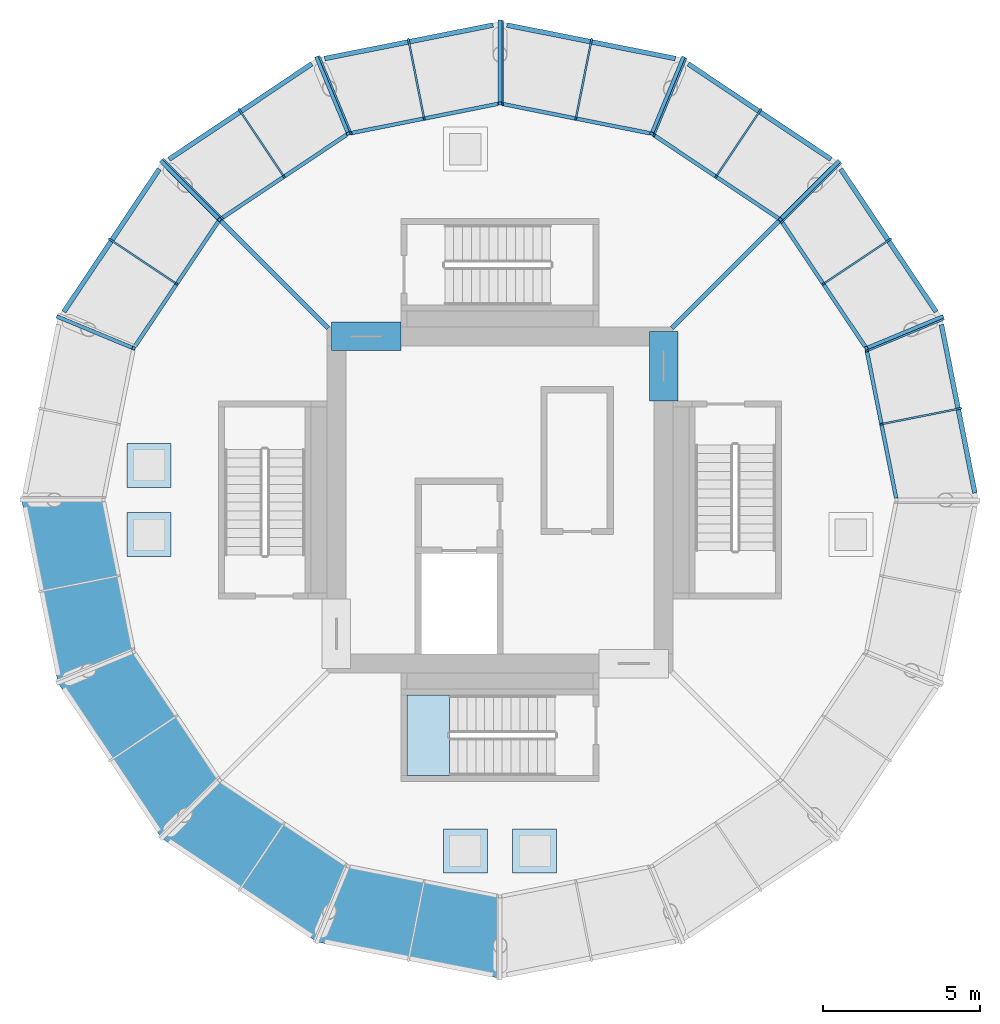
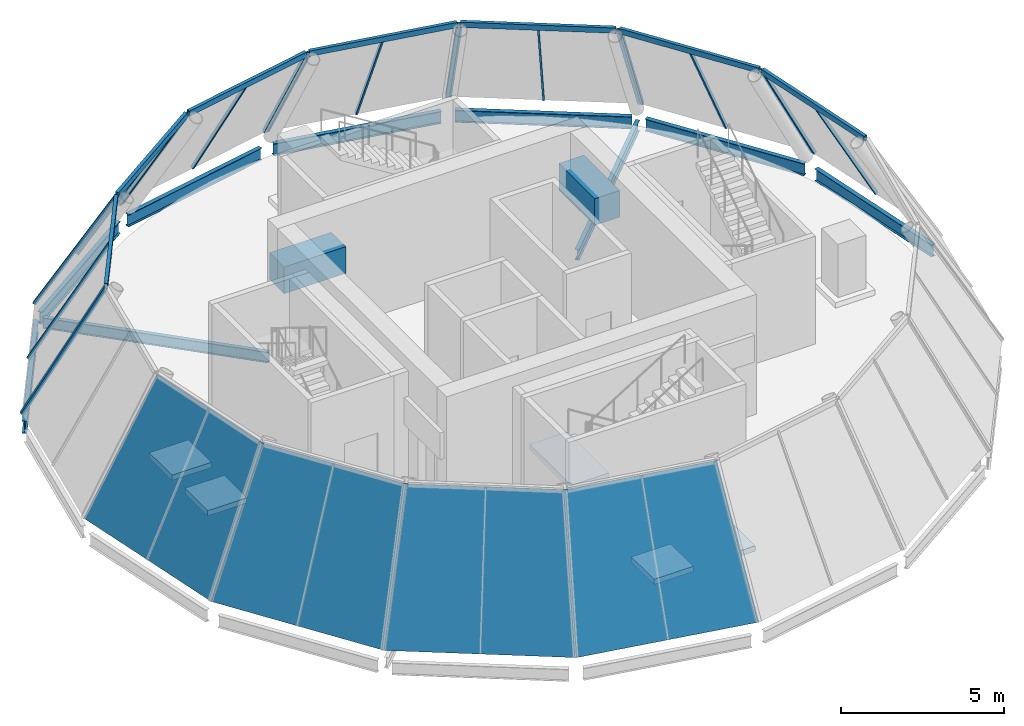
# One storey, part 2 of 6: 27 members, 11 beams, 5 slabs, 4 plates, 13 elements without a shape of their own.
"""IFC4 building model written with IfcOpenShell, lengths in metres."""

from ifc_helpers import new_model, si_unit, direction, frame, origin, origin_2d, place, context, subcontext, project, spatial, polyline, rectangle, hollow_rectangle, i_section, outline, extrude, material, layer, layer_set, material_profile, profile_set, type_object, element, aggregate, save


model = new_model("IFC4")

# Units and contexts
model_context = context("Model", 3, precision=1e-05, world=origin(), true_north=direction((0.0, 1.0)))
body_context = subcontext(model_context, "Body", "Model", "MODEL_VIEW")
ifc_project = project(units=[si_unit("LENGTHUNIT", "METRE"), si_unit("AREAUNIT", "SQUARE_METRE"), si_unit("VOLUMEUNIT", "CUBIC_METRE"), si_unit("PLANEANGLEUNIT", "RADIAN"), si_unit("MASSUNIT", "GRAM", prefix="KILO")], contexts=[model_context])

# Site, building, storey
site_placement = place(None, origin())
site = spatial("IfcSite", under=ifc_project, at=site_placement, CompositionType="ELEMENT")
building_placement = place(site_placement, origin())
building = spatial("IfcBuilding", under=site, at=building_placement, Name="Corvane Civic Tower", CompositionType="ELEMENT")
storey_placement = place(building_placement, frame((0.0, 0.0, 397.5)))
storey = spatial("IfcBuildingStorey", under=building, at=storey_placement, Name="L94", CompositionType="ELEMENT", Elevation=397.5)

# Beams
ifc_material_1 = material(Name="Concrete C40/50", Category="concrete")
ifc_material_profile_1 = material_profile(ifc_material_1, rectangle(XDim=0.89990234375, YDim=1.0, at=origin_2d()), Name="COUPLING BEAM 900X1000")
ifc_profile_set_1 = profile_set([ifc_material_profile_1], Name="Concrete C40/50")
beam_type_1 = type_object("IfcBeamType", Name="COUPLING BEAM COUPLING BEAM 900X1000", PredefinedType="BEAM", material=ifc_profile_set_1)
for number, where, z_axis, x_axis, name in (
    (1, (5.199951171875, 3.14990234375, 2.60009765625), (0.0, 1.0, 0.0), (-1.0, 0.0, 0.0), "BM-L94-cpl-CW-E"),
    (2, (-5.35009765625, 5.199951171875, 2.60009765625), (1.0, 0.0, 0.0), (0.0, 1.0, 0.0), "BM-L94-cpl-CW-N"),
):
    element("IfcBeam", number, at=place(storey_placement, frame(where, z_axis=z_axis, x_axis=x_axis)), inside=storey, type_object=beam_type_1, Name=name, PredefinedType="BEAM", context=body_context, shape_type="SweptSolid", body=[
        extrude(rectangle(XDim=0.89990234375, YDim=1.0, at=origin_2d()), origin(), (0.0, 0.0, 1.0), 2.2001953125),
    ])

# Curtain wall, members
ifc_material_2 = material(Name="Aluminium and glass", Category="aluminium")
curtain_wall_type = type_object("IfcCurtainWallType", Name="CROWN-CW-K-FACET", PredefinedType="NOTDEFINED", material=ifc_material_2)
curtain_wall_1_placement = place(storey_placement, origin())
curtain_wall_1 = element("IfcCurtainWall", 3, at=curtain_wall_1_placement, inside=storey, type_object=curtain_wall_type, Name="Glass cone facet 1 row 3", PredefinedType="NOTDEFINED")
ifc_material_3 = material(Name="Steel ASTM A500 Gr C", Category="steel")
ifc_material_profile_2 = material_profile(ifc_material_3, hollow_rectangle(XDim=0.06005859375, YDim=0.1201171875, WallThickness=0.0048828125, at=origin_2d()), Name="RHS 120x60x5")
ifc_profile_set_2 = profile_set([ifc_material_profile_2], Name="Steel ASTM A500 Gr C")
member_type_1 = type_object("IfcMemberType", Name="CROWN-CWK-MULLION-RHS120x60x5", PredefinedType="MULLION", material=ifc_profile_set_2)
member_1_placement = place(storey_placement, frame((-2.908447265625, 14.62158203125, 0.0), z_axis=(0.096197207431, -0.483534932742, 0.87002302619), x_axis=(0.980779020002, 0.195121792539, 0.0)))
member_1 = element("IfcMember", 4, at=member_1_placement, type_object=member_type_1, Name="Cone mullion 1.3M", PredefinedType="MULLION", context=body_context, shape_type="SweptSolid", body=[
    extrude(hollow_rectangle(XDim=0.06005859375, YDim=0.1201171875, WallThickness=0.0048828125, at=origin_2d()), origin(), (0.0, 0.0, 1.0), 5.17236328125),
])
member_2_placement = place(storey_placement, frame((-5.728515625, 14.060546875, 0.0), z_axis=(0.191473729203, -0.462195785482, 0.865859611547), x_axis=(0.923861180978, 0.382727733882, 0.0)))
member_2 = element("IfcMember", 5, at=member_2_placement, type_object=member_type_1, Name="Cone mullion 1.3J", PredefinedType="MULLION", context=body_context, shape_type="SweptSolid", body=[
    extrude(hollow_rectangle(XDim=0.06005859375, YDim=0.1201171875, WallThickness=0.0048828125, at=origin_2d()), origin(), (0.0, 0.0, 1.0), 5.197265625),
])

curtain_wall_2_placement = place(storey_placement, origin())
curtain_wall_2 = element("IfcCurtainWall", 6, at=curtain_wall_2_placement, inside=storey, type_object=curtain_wall_type, Name="Glass cone facet 2 row 3", PredefinedType="NOTDEFINED")
member_3_placement = place(storey_placement, frame((-8.282470703125, 12.3955078125, 0.0), z_axis=(0.273952157888, -0.409937024683, 0.870001063783), x_axis=(0.83143120189, 0.555627713963, 0.0)))
member_3 = element("IfcMember", 7, at=member_3_placement, type_object=member_type_1, Name="Cone mullion 2.3M", PredefinedType="MULLION", context=body_context, shape_type="SweptSolid", body=[
    extrude(hollow_rectangle(XDim=0.06005859375, YDim=0.1201171875, WallThickness=0.0048828125, at=origin_2d()), origin(), (0.0, 0.0, 1.0), 5.17236328125),
])
member_4_placement = place(storey_placement, frame((-10.673095703125, 10.798095703125, 0.0), z_axis=(0.353729561461, -0.353776537499, 0.865862320963), x_axis=(0.707153729152, 0.707059830104, 0.0)))
member_4 = element("IfcMember", 8, at=member_4_placement, type_object=member_type_1, Name="Cone mullion 2.3J", PredefinedType="MULLION", context=body_context, shape_type="SweptSolid", body=[
    extrude(hollow_rectangle(XDim=0.06005859375, YDim=0.1201171875, WallThickness=0.0048828125, at=origin_2d()), origin(), (0.0, 0.0, 1.0), 5.197021484375),
])

# Curtain wall, member
curtain_wall_3_placement = place(storey_placement, origin())
curtain_wall_3 = element("IfcCurtainWall", 9, at=curtain_wall_3_placement, inside=storey, type_object=curtain_wall_type, Name="Glass cone facet 3 row 3", PredefinedType="NOTDEFINED")
member_5_placement = place(storey_placement, frame((-12.3955078125, 8.282470703125, 0.0), z_axis=(0.409937024683, -0.273952157888, 0.870001063783), x_axis=(0.555627713963, 0.83143120189, 0.0)))
member_5 = element("IfcMember", 10, at=member_5_placement, type_object=member_type_1, Name="Cone mullion 3.3M", PredefinedType="MULLION", context=body_context, shape_type="SweptSolid", body=[
    extrude(hollow_rectangle(XDim=0.06005859375, YDim=0.1201171875, WallThickness=0.0048828125, at=origin_2d()), origin(), (0.0, 0.0, 1.0), 5.17236328125),
])

# Curtain wall, members
curtain_wall_4_placement = place(storey_placement, origin())
curtain_wall_4 = element("IfcCurtainWall", 11, at=curtain_wall_4_placement, inside=storey, type_object=curtain_wall_type, Name="Glass cone facet 13 row 3", PredefinedType="NOTDEFINED")
member_6_placement = place(storey_placement, frame((14.62158203125, 2.908447265625, 0.0), z_axis=(-0.483534932742, -0.096197207431, 0.87002302619), x_axis=(0.195121792539, -0.980779020002, 0.0)))
member_6 = element("IfcMember", 12, at=member_6_placement, type_object=member_type_1, Name="Cone mullion 13.3M", PredefinedType="MULLION", context=body_context, shape_type="SweptSolid", body=[
    extrude(hollow_rectangle(XDim=0.06005859375, YDim=0.1201171875, WallThickness=0.0048828125, at=origin_2d()), origin(), (0.0, 0.0, 1.0), 5.17236328125),
])
member_7_placement = place(storey_placement, frame((14.060546875, 5.728515625, 0.0), z_axis=(-0.462195785482, -0.191473729203, 0.865859611547), x_axis=(0.382727733882, -0.923861180978, 0.0)))
member_7 = element("IfcMember", 13, at=member_7_placement, type_object=member_type_1, Name="Cone mullion 13.3J", PredefinedType="MULLION", context=body_context, shape_type="SweptSolid", body=[
    extrude(hollow_rectangle(XDim=0.06005859375, YDim=0.1201171875, WallThickness=0.0048828125, at=origin_2d()), origin(), (0.0, 0.0, 1.0), 5.197265625),
])

curtain_wall_5_placement = place(storey_placement, origin())
curtain_wall_5 = element("IfcCurtainWall", 14, at=curtain_wall_5_placement, inside=storey, type_object=curtain_wall_type, Name="Glass cone facet 14 row 3", PredefinedType="NOTDEFINED")
member_8_placement = place(storey_placement, frame((12.3955078125, 8.282470703125, 0.0), z_axis=(-0.409937024683, -0.273952157888, 0.870001063783), x_axis=(0.555627713963, -0.83143120189, 0.0)))
member_8 = element("IfcMember", 15, at=member_8_placement, type_object=member_type_1, Name="Cone mullion 14.3M", PredefinedType="MULLION", context=body_context, shape_type="SweptSolid", body=[
    extrude(hollow_rectangle(XDim=0.06005859375, YDim=0.1201171875, WallThickness=0.0048828125, at=origin_2d()), origin(), (0.0, 0.0, 1.0), 5.17236328125),
])
member_9_placement = place(storey_placement, frame((10.798095703125, 10.673095703125, 0.0), z_axis=(-0.353776537499, -0.353729561461, 0.865862320963), x_axis=(0.707059830104, -0.707153729152, 0.0)))
member_9 = element("IfcMember", 16, at=member_9_placement, type_object=member_type_1, Name="Cone mullion 14.3J", PredefinedType="MULLION", context=body_context, shape_type="SweptSolid", body=[
    extrude(hollow_rectangle(XDim=0.06005859375, YDim=0.1201171875, WallThickness=0.0048828125, at=origin_2d()), origin(), (0.0, 0.0, 1.0), 5.197021484375),
])

curtain_wall_6_placement = place(storey_placement, origin())
curtain_wall_6 = element("IfcCurtainWall", 17, at=curtain_wall_6_placement, inside=storey, type_object=curtain_wall_type, Name="Glass cone facet 15 row 3", PredefinedType="NOTDEFINED")
member_10_placement = place(storey_placement, frame((8.282470703125, 12.3955078125, 0.0), z_axis=(-0.273952157888, -0.409937024683, 0.870001063783), x_axis=(0.83143120189, -0.555627713963, 0.0)))
member_10 = element("IfcMember", 18, at=member_10_placement, type_object=member_type_1, Name="Cone mullion 15.3M", PredefinedType="MULLION", context=body_context, shape_type="SweptSolid", body=[
    extrude(hollow_rectangle(XDim=0.06005859375, YDim=0.1201171875, WallThickness=0.0048828125, at=origin_2d()), origin(), (0.0, 0.0, 1.0), 5.17236328125),
])
member_11_placement = place(storey_placement, frame((5.8916015625, 13.992919921875, 0.0), z_axis=(-0.191473729203, -0.462195785482, 0.865859611547), x_axis=(0.923861180978, -0.382727733882, 0.0)))
member_11 = element("IfcMember", 19, at=member_11_placement, type_object=member_type_1, Name="Cone mullion 15.3J", PredefinedType="MULLION", context=body_context, shape_type="SweptSolid", body=[
    extrude(hollow_rectangle(XDim=0.06005859375, YDim=0.1201171875, WallThickness=0.0048828125, at=origin_2d()), origin(), (0.0, 0.0, 1.0), 5.197265625),
])

curtain_wall_7_placement = place(storey_placement, origin())
curtain_wall_7 = element("IfcCurtainWall", 20, at=curtain_wall_7_placement, inside=storey, type_object=curtain_wall_type, Name="Glass cone facet 16 row 3", PredefinedType="NOTDEFINED")
member_12_placement = place(storey_placement, frame((2.908447265625, 14.62158203125, 0.0), z_axis=(-0.096197207431, -0.483534932742, 0.87002302619), x_axis=(0.980779020002, -0.195121792539, 0.0)))
member_12 = element("IfcMember", 21, at=member_12_placement, type_object=member_type_1, Name="Cone mullion 16.3M", PredefinedType="MULLION", context=body_context, shape_type="SweptSolid", body=[
    extrude(hollow_rectangle(XDim=0.06005859375, YDim=0.1201171875, WallThickness=0.0048828125, at=origin_2d()), origin(), (0.0, 0.0, 1.0), 5.17236328125),
])
member_13_placement = place(storey_placement, frame((0.08837890625, 15.182373046875, 0.0), z_axis=(0.0, -0.50025646597, 0.865877282445), x_axis=(1.0, 0.0, 0.0)))
member_13 = element("IfcMember", 22, at=member_13_placement, type_object=member_type_1, Name="Cone mullion 16.3J", PredefinedType="MULLION", context=body_context, shape_type="SweptSolid", body=[
    extrude(hollow_rectangle(XDim=0.06005859375, YDim=0.1201171875, WallThickness=0.0048828125, at=origin_2d()), origin(), (0.0, 0.0, 1.0), 5.197021484375),
])

# Member
ifc_material_4 = material(Name="Steel ASTM A500 Gr C", Category="steel")
ifc_material_profile_3 = material_profile(ifc_material_4, hollow_rectangle(XDim=0.1201171875, YDim=0.1201171875, WallThickness=0.006103515625, at=origin_2d()), Name="RHS 120x120x6")
ifc_profile_set_3 = profile_set([ifc_material_profile_3], Name="Steel ASTM A500 Gr C")
member_type_2 = type_object("IfcMemberType", Name="CROWN-CWK-RIB-RHS120x120x6", PredefinedType="MULLION", material=ifc_profile_set_3)
member_14_placement = place(storey_placement, frame((0.0, 15.199951171875, 0.0), z_axis=(0.0, -0.50025646597, 0.865877282445), x_axis=(1.0, 0.0, 0.0)))
member_14 = element("IfcMember", 23, at=member_14_placement, type_object=member_type_2, Name="Cone rib 1.3", PredefinedType="MULLION", context=body_context, shape_type="SweptSolid", body=[
    extrude(hollow_rectangle(XDim=0.1201171875, YDim=0.1201171875, WallThickness=0.006103515625, at=origin_2d()), origin(), (0.0, 0.0, 1.0), 5.197021484375),
])

member_15_placement = place(storey_placement, frame((-5.81689453125, 14.04296875, 0.0), z_axis=(0.191473729203, -0.462195785482, 0.865859611547), x_axis=(0.923861180978, 0.382727733882, 0.0)))
member_15 = element("IfcMember", 24, at=member_15_placement, type_object=member_type_2, Name="Cone rib 2.3", PredefinedType="MULLION", context=body_context, shape_type="SweptSolid", body=[
    extrude(hollow_rectangle(XDim=0.1201171875, YDim=0.1201171875, WallThickness=0.006103515625, at=origin_2d()), origin(), (0.0, 0.0, 1.0), 5.197265625),
])

member_16_placement = place(storey_placement, frame((-10.748046875, 10.748046875, 0.0), z_axis=(0.353770658616, -0.353770658616, 0.865847932494), x_axis=(0.707106781187, 0.707106781187, 0.0)))
member_16 = element("IfcMember", 25, at=member_16_placement, type_object=member_type_2, Name="Cone rib 3.3", PredefinedType="MULLION", context=body_context, shape_type="SweptSolid", body=[
    extrude(hollow_rectangle(XDim=0.1201171875, YDim=0.1201171875, WallThickness=0.006103515625, at=origin_2d()), origin(), (0.0, 0.0, 1.0), 5.197265625),
])

# Curtain wall, member
curtain_wall_8_placement = place(storey_placement, origin())
curtain_wall_8 = element("IfcCurtainWall", 26, at=curtain_wall_8_placement, inside=storey, type_object=curtain_wall_type, Name="Glass cone facet 4 row 3", PredefinedType="NOTDEFINED")
member_17_placement = place(storey_placement, frame((-14.04296875, 5.81689453125, 0.0), z_axis=(0.462195785482, -0.191473729203, 0.865859611547), x_axis=(0.382727733882, 0.923861180978, 0.0)))
member_17 = element("IfcMember", 27, at=member_17_placement, type_object=member_type_2, Name="Cone rib 4.3", PredefinedType="MULLION", context=body_context, shape_type="SweptSolid", body=[
    extrude(hollow_rectangle(XDim=0.1201171875, YDim=0.1201171875, WallThickness=0.006103515625, at=origin_2d()), origin(), (0.0, 0.0, 1.0), 5.197265625),
])
aggregate(curtain_wall_8, [member_17])

# Member
member_18_placement = place(storey_placement, frame((14.04296875, 5.81689453125, 0.0), z_axis=(-0.462195785482, -0.191473729203, 0.865859611547), x_axis=(0.382727733882, -0.923861180978, 0.0)))
member_18 = element("IfcMember", 28, at=member_18_placement, type_object=member_type_2, Name="Cone rib 14.3", PredefinedType="MULLION", context=body_context, shape_type="SweptSolid", body=[
    extrude(hollow_rectangle(XDim=0.1201171875, YDim=0.1201171875, WallThickness=0.006103515625, at=origin_2d()), origin(), (0.0, 0.0, 1.0), 5.197265625),
])

member_19_placement = place(storey_placement, frame((10.748046875, 10.748046875, 0.0), z_axis=(-0.353770658616, -0.353770658616, 0.865847932494), x_axis=(0.707106781187, -0.707106781187, 0.0)))
member_19 = element("IfcMember", 29, at=member_19_placement, type_object=member_type_2, Name="Cone rib 15.3", PredefinedType="MULLION", context=body_context, shape_type="SweptSolid", body=[
    extrude(hollow_rectangle(XDim=0.1201171875, YDim=0.1201171875, WallThickness=0.006103515625, at=origin_2d()), origin(), (0.0, 0.0, 1.0), 5.197265625),
])

member_20_placement = place(storey_placement, frame((5.81689453125, 14.04296875, 0.0), z_axis=(-0.191473729203, -0.462195785482, 0.865859611547), x_axis=(0.923861180978, -0.382727733882, 0.0)))
member_20 = element("IfcMember", 30, at=member_20_placement, type_object=member_type_2, Name="Cone rib 16.3", PredefinedType="MULLION", context=body_context, shape_type="SweptSolid", body=[
    extrude(hollow_rectangle(XDim=0.1201171875, YDim=0.1201171875, WallThickness=0.006103515625, at=origin_2d()), origin(), (0.0, 0.0, 1.0), 5.197265625),
])

ifc_material_5 = material(Name="Steel ASTM A500 Gr C", Category="steel")
ifc_material_profile_4 = material_profile(ifc_material_5, hollow_rectangle(XDim=0.1201171875, YDim=0.199951171875, WallThickness=0.006103515625, at=origin_2d()), Name="RHS 200x120x6")
ifc_profile_set_4 = profile_set([ifc_material_profile_4], Name="Steel ASTM A500 Gr C")
member_type_3 = type_object("IfcMemberType", Name="CROWN-CWK-RING-RHS200x120x6", PredefinedType="USERDEFINED", material=ifc_profile_set_4)
member_21_placement = place(storey_placement, frame((-0.058837890625, 12.58837890625, 4.5), z_axis=(-0.980781807994, -0.195107778184, 0.0), x_axis=(0.195107778184, -0.980781807994, 0.0)))
member_21 = element("IfcMember", 31, at=member_21_placement, type_object=member_type_3, Name="Cone ring member 1.3", ObjectType="TRANSOM", PredefinedType="USERDEFINED", context=body_context, shape_type="SweptSolid", body=[
    extrude(hollow_rectangle(XDim=0.1201171875, YDim=0.199951171875, WallThickness=0.006103515625, at=origin_2d()), origin(), (0.0, 0.0, 1.0), 4.79638671875),
])

aggregate(curtain_wall_1, [member_14, member_21, member_1, member_2])

member_22_placement = place(storey_placement, frame((-4.87158203125, 11.607421875, 4.5), z_axis=(-0.831486025695, -0.555545667856, 0.0), x_axis=(0.555545667856, -0.831486025695, 0.0)))
member_22 = element("IfcMember", 32, at=member_22_placement, type_object=member_type_3, Name="Cone ring member 2.3", ObjectType="TRANSOM", PredefinedType="USERDEFINED", context=body_context, shape_type="SweptSolid", body=[
    extrude(hollow_rectangle(XDim=0.1201171875, YDim=0.199951171875, WallThickness=0.006103515625, at=origin_2d()), origin(), (0.0, 0.0, 1.0), 4.79638671875),
])

aggregate(curtain_wall_2, [member_15, member_22, member_3, member_4])

member_23_placement = place(storey_placement, frame((-8.94287109375, 8.859619140625, 4.5), z_axis=(-0.555545667856, -0.831486025695, 0.0), x_axis=(0.831486025695, -0.555545667856, 0.0)))
member_23 = element("IfcMember", 33, at=member_23_placement, type_object=member_type_3, Name="Cone ring member 3.3", ObjectType="TRANSOM", PredefinedType="USERDEFINED", context=body_context, shape_type="SweptSolid", body=[
    extrude(hollow_rectangle(XDim=0.1201171875, YDim=0.199951171875, WallThickness=0.006103515625, at=origin_2d()), origin(), (0.0, 0.0, 1.0), 4.79638671875),
])

aggregate(curtain_wall_3, [member_16, member_23, member_5])

member_24_placement = place(storey_placement, frame((12.58837890625, 0.058837890625, 4.5), z_axis=(-0.195107778184, 0.980781807994, 0.0), x_axis=(-0.980781807994, -0.195107778184, 0.0)))
member_24 = element("IfcMember", 34, at=member_24_placement, type_object=member_type_3, Name="Cone ring member 13.3", ObjectType="TRANSOM", PredefinedType="USERDEFINED", context=body_context, shape_type="SweptSolid", body=[
    extrude(hollow_rectangle(XDim=0.1201171875, YDim=0.199951171875, WallThickness=0.006103515625, at=origin_2d()), origin(), (0.0, 0.0, 1.0), 4.79638671875),
])

aggregate(curtain_wall_4, [member_24, member_6, member_7])

member_25_placement = place(storey_placement, frame((11.607421875, 4.87158203125, 4.5), z_axis=(-0.555545667856, 0.831486025695, 0.0), x_axis=(-0.831486025695, -0.555545667856, 0.0)))
member_25 = element("IfcMember", 35, at=member_25_placement, type_object=member_type_3, Name="Cone ring member 14.3", ObjectType="TRANSOM", PredefinedType="USERDEFINED", context=body_context, shape_type="SweptSolid", body=[
    extrude(hollow_rectangle(XDim=0.1201171875, YDim=0.199951171875, WallThickness=0.006103515625, at=origin_2d()), origin(), (0.0, 0.0, 1.0), 4.79638671875),
])

aggregate(curtain_wall_5, [member_18, member_25, member_8, member_9])

member_26_placement = place(storey_placement, frame((8.859619140625, 8.94287109375, 4.5), z_axis=(-0.831486025695, 0.555545667856, 0.0), x_axis=(-0.555545667856, -0.831486025695, 0.0)))
member_26 = element("IfcMember", 36, at=member_26_placement, type_object=member_type_3, Name="Cone ring member 15.3", ObjectType="TRANSOM", PredefinedType="USERDEFINED", context=body_context, shape_type="SweptSolid", body=[
    extrude(hollow_rectangle(XDim=0.1201171875, YDim=0.199951171875, WallThickness=0.006103515625, at=origin_2d()), origin(), (0.0, 0.0, 1.0), 4.79638671875),
])

aggregate(curtain_wall_6, [member_19, member_26, member_10, member_11])

member_27_placement = place(storey_placement, frame((4.762939453125, 11.652587890625, 4.5), z_axis=(-0.980781807994, 0.195107778184, 0.0), x_axis=(-0.195107778184, -0.980781807994, 0.0)))
member_27 = element("IfcMember", 37, at=member_27_placement, type_object=member_type_3, Name="Cone ring member 16.3", ObjectType="TRANSOM", PredefinedType="USERDEFINED", context=body_context, shape_type="SweptSolid", body=[
    extrude(hollow_rectangle(XDim=0.1201171875, YDim=0.199951171875, WallThickness=0.006103515625, at=origin_2d()), origin(), (0.0, 0.0, 1.0), 4.79638671875),
])

aggregate(curtain_wall_7, [member_20, member_27, member_12, member_13])

# Beams
ifc_material_6 = material(Name="Steel ASTM A992 Gr 50", Category="steel")
ifc_material_profile_5 = material_profile(ifc_material_6, i_section(OverallWidth=0.15283203125, OverallDepth=0.45458984375, WebThickness=0.008056640625, FlangeThickness=0.013427734375, at=origin_2d()), Name="W18X40")
ifc_profile_set_5 = profile_set([ifc_material_profile_5], Name="Steel ASTM A992 Gr 50")
beam_type_2 = type_object("IfcBeamType", Name="EDGE BEAM W18X40", PredefinedType="BEAM", material=ifc_profile_set_5)
beam_1_placement = place(storey_placement, frame((0.220703125, 15.090576171875, -0.67724609375), z_axis=(0.980786689312, -0.195083238819, 0.0), x_axis=(0.195083238819, 0.980786689312, 0.0)))
element("IfcBeam", 38, at=beam_1_placement, inside=storey, type_object=beam_type_2, Name="BM-L94-E01", PredefinedType="BEAM", context=body_context, shape_type="SweptSolid", body=[
    extrude(i_section(OverallWidth=0.15283203125, OverallDepth=0.45458984375, WebThickness=0.008056640625, FlangeThickness=0.013427734375, at=origin_2d()), origin(), (0.0, 0.0, 1.0), 5.455078125),
])
for number, where, z_axis, x_axis, name in (
    (39, (5.978759765625, 13.857421875, -0.67724609375), (0.831471491791, -0.555567420157, 0.0), (0.555567420157, 0.831471491791, 0.0), "BM-L94-E02"),
    (40, (10.82666015625, 10.5146484375, -0.67724609375), (0.555567420157, -0.831471491791, 0.0), (0.831471491791, 0.555567420157, 0.0), "BM-L94-E03"),
):
    element("IfcBeam", number, at=place(storey_placement, frame(where, z_axis=z_axis, x_axis=x_axis)), inside=storey, type_object=beam_type_2, Name=name, PredefinedType="BEAM", context=body_context, shape_type="SweptSolid", body=[
        extrude(i_section(OverallWidth=0.15283203125, OverallDepth=0.45458984375, WebThickness=0.008056640625, FlangeThickness=0.013427734375, at=origin_2d()), origin(), (0.0, 0.0, 1.0), 5.455322265625),
    ])
beam_2_placement = place(storey_placement, frame((14.0263671875, 5.571044921875, -0.67724609375), z_axis=(0.195083238819, -0.980786689312, 0.0), x_axis=(0.980786689312, 0.195083238819, 0.0)))
element("IfcBeam", 41, at=beam_2_placement, inside=storey, type_object=beam_type_2, Name="BM-L94-E04", PredefinedType="BEAM", context=body_context, shape_type="SweptSolid", body=[
    extrude(i_section(OverallWidth=0.15283203125, OverallDepth=0.45458984375, WebThickness=0.008056640625, FlangeThickness=0.013427734375, at=origin_2d()), origin(), (0.0, 0.0, 1.0), 5.455078125),
])
for number, where, z_axis, x_axis, name in (
    (42, (-13.857421875, 5.978759765625, -0.67724609375), (0.555567420157, 0.831471491791, 0.0), (-0.831471491791, 0.555567420157, 0.0), "BM-L94-E14"),
    (43, (-10.5146484375, 10.82666015625, -0.67724609375), (0.831471491791, 0.555567420157, 0.0), (-0.555567420157, 0.831471491791, 0.0), "BM-L94-E15"),
):
    element("IfcBeam", number, at=place(storey_placement, frame(where, z_axis=z_axis, x_axis=x_axis)), inside=storey, type_object=beam_type_2, Name=name, PredefinedType="BEAM", context=body_context, shape_type="SweptSolid", body=[
        extrude(i_section(OverallWidth=0.15283203125, OverallDepth=0.45458984375, WebThickness=0.008056640625, FlangeThickness=0.013427734375, at=origin_2d()), origin(), (0.0, 0.0, 1.0), 5.455322265625),
    ])
beam_3_placement = place(storey_placement, frame((-5.571044921875, 14.0263671875, -0.67724609375), z_axis=(0.980786689312, 0.195083238819, 0.0), x_axis=(-0.195083238819, 0.980786689312, 0.0)))
element("IfcBeam", 44, at=beam_3_placement, inside=storey, type_object=beam_type_2, Name="BM-L94-E16", PredefinedType="BEAM", context=body_context, shape_type="SweptSolid", body=[
    extrude(i_section(OverallWidth=0.15283203125, OverallDepth=0.45458984375, WebThickness=0.008056640625, FlangeThickness=0.013427734375, at=origin_2d()), origin(), (0.0, 0.0, 1.0), 5.455078125),
])
ifc_material_7 = material(Name="Steel ASTM A992 Gr 50", Category="steel")
ifc_material_profile_6 = material_profile(ifc_material_7, i_section(OverallWidth=0.140380859375, OverallDepth=0.40380859375, WebThickness=0.007080078125, FlangeThickness=0.01123046875, at=origin_2d()), Name="W16X31")
ifc_profile_set_6 = profile_set([ifc_material_profile_6], Name="Steel ASTM A992 Gr 50")
beam_type_3 = type_object("IfcBeamType", Name="FLOOR GIRDER W16X31", PredefinedType="BEAM", material=ifc_profile_set_6)
for number, where, z_axis, x_axis, name in (
    (45, (5.464599609375, 5.464599609375, -0.65185546875), (0.707106781187, 0.707106781187, 0.0), (-0.707106781187, 0.707106781187, 0.0), "BM-L94-G05"),
    (46, (-5.464599609375, 5.464599609375, -0.65185546875), (-0.707106781187, 0.707106781187, 0.0), (-0.707106781187, -0.707106781187, 0.0), "BM-L94-G29"),
):
    element("IfcBeam", number, at=place(storey_placement, frame(where, z_axis=z_axis, x_axis=x_axis)), inside=storey, type_object=beam_type_3, Name=name, PredefinedType="BEAM", context=body_context, shape_type="SweptSolid", body=[
        extrude(i_section(OverallWidth=0.140380859375, OverallDepth=0.40380859375, WebThickness=0.007080078125, FlangeThickness=0.01123046875, at=origin_2d()), origin(), (0.0, 0.0, 1.0), 7.200439453125),
    ])

# Curtain wall, plate
curtain_wall_9_placement = place(storey_placement, origin())
curtain_wall_9 = element("IfcCurtainWall", 47, at=curtain_wall_9_placement, inside=storey, type_object=curtain_wall_type, Name="Glass cone facet 5 row 3", PredefinedType="NOTDEFINED")
ifc_material_8 = material(Name="Glass tinted low-e laminated", Category="glass")
ifc_layer_1 = layer(ifc_material_8, 0.030029296875)
ifc_layer_set_1 = layer_set([ifc_layer_1], Name="Glass tinted low-e laminated")
plate_type = type_object("IfcPlateType", Name="CROWN-CWK-PANEL-IGU30", PredefinedType="CURTAIN_PANEL", material=ifc_layer_set_1)
plate_1_placement = place(storey_placement, frame((-15.199951171875, 0.0, 0.0), z_axis=(-0.853318533123, -0.169719839512, 0.492993567001), x_axis=(0.195074370656, -0.980788453188, 2.671329e-06)))
plate_1 = element("IfcPlate", 48, at=plate_1_placement, type_object=plate_type, Name="Cone glass panel 5.3", PredefinedType="CURTAIN_PANEL", context=body_context, shape_type="SweptSolid", body=[
    extrude(outline(polyline([(0.0, 0.0), (5.930840607467134, -1.1102230246251565e-16), (5.423393625352729, 5.172201220847117), (0.507176809339323, 5.172234525400341), (0.0, 0.0)])), origin(), (0.0, 0.0, -1.0), 0.030029296875),
])
aggregate(curtain_wall_9, [plate_1])

curtain_wall_10_placement = place(storey_placement, origin())
curtain_wall_10 = element("IfcCurtainWall", 49, at=curtain_wall_10_placement, inside=storey, type_object=curtain_wall_type, Name="Glass cone facet 6 row 3", PredefinedType="NOTDEFINED")
plate_2_placement = place(storey_placement, frame((-14.04296875, -5.81689453125, 0.0), z_axis=(-0.72337677032, -0.483360823978, 0.493039919281), x_axis=(0.555580692371, -0.831462623479, -4.648492e-06)))
plate_2 = element("IfcPlate", 50, at=plate_2_placement, type_object=plate_type, Name="Cone glass panel 6.3", PredefinedType="CURTAIN_PANEL", context=body_context, shape_type="SweptSolid", body=[
    extrude(outline(polyline([(0.0, 0.0), (5.930663841130947, -2.220446049250313e-16), (5.4234000461655265, 5.172403005972227), (0.5071364985191953, 5.172345050261106), (0.0, 0.0)])), origin(), (0.0, 0.0, -1.0), 0.030029296875),
])
aggregate(curtain_wall_10, [plate_2])

curtain_wall_11_placement = place(storey_placement, origin())
curtain_wall_11 = element("IfcCurtainWall", 51, at=curtain_wall_11_placement, inside=storey, type_object=curtain_wall_type, Name="Glass cone facet 7 row 3", PredefinedType="NOTDEFINED")
plate_3_placement = place(storey_placement, frame((-10.748046875, -10.748046875, 0.0), z_axis=(-0.483360823978, -0.72337677032, 0.493039919281), x_axis=(0.831462623479, -0.555580692371, 4.648492e-06)))
plate_3 = element("IfcPlate", 52, at=plate_3_placement, type_object=plate_type, Name="Cone glass panel 7.3", PredefinedType="CURTAIN_PANEL", context=body_context, shape_type="SweptSolid", body=[
    extrude(outline(polyline([(0.0, 0.0), (5.930663841130947, 2.220446049250313e-16), (5.423527342611751, 5.172345050261106), (0.5072637949654196, 5.172403005972228), (0.0, 0.0)])), origin(), (0.0, 0.0, -1.0), 0.030029296875),
])
aggregate(curtain_wall_11, [plate_3])

curtain_wall_12_placement = place(storey_placement, origin())
curtain_wall_12 = element("IfcCurtainWall", 53, at=curtain_wall_12_placement, inside=storey, type_object=curtain_wall_type, Name="Glass cone facet 8 row 3", PredefinedType="NOTDEFINED")
plate_4_placement = place(storey_placement, frame((-5.81689453125, -14.04296875, 0.0), z_axis=(-0.169736739466, -0.853305048338, 0.493011088878), x_axis=(0.980785193417, -0.195090759205, 6.797279e-06)))
plate_4 = element("IfcPlate", 54, at=plate_4_placement, type_object=plate_type, Name="Cone glass panel 8.3", PredefinedType="CURTAIN_PANEL", context=body_context, shape_type="SweptSolid", body=[
    extrude(outline(polyline([(0.0, 0.0), (5.930840606990508, -1.1102230246251565e-16), (5.423663798563678, 5.172234524943286), (0.5073993544943053, 5.1723192707517445), (0.0, 0.0)])), origin(), (0.0, 0.0, -1.0), 0.030029296875),
])
aggregate(curtain_wall_12, [plate_4])

# Slabs
ifc_material_9 = material(Name="Concrete C30/37", Category="concrete")
ifc_layer_2 = layer(ifc_material_9, 0.199951171875)
ifc_layer_set_2 = layer_set([ifc_layer_2], Name="Concrete C30/37")
slab_type_1 = type_object("IfcSlabType", Name="CROWN-SL-PLINTH-200", PredefinedType="USERDEFINED", material=ifc_layer_set_2)
slab_1_placement = place(storey_placement, origin())
element("IfcSlab", 55, at=slab_1_placement, inside=storey, type_object=slab_type_1, Name="Water tank plinth L94-02", ObjectType="PLINTH", PredefinedType="USERDEFINED", context=body_context, shape_type="SweptSolid", body=[
    extrude(outline(polyline([(-10.446044921875, 0.39794921875), (-10.446044921875, 1.798095703125), (-11.845947265625, 1.798095703125), (-11.845947265625, 0.39794921875), (-10.446044921875, 0.39794921875)])), origin(), (0.0, 0.0, 1.0), 0.199951171875),
])
slab_2_placement = place(storey_placement, origin())
element("IfcSlab", 56, at=slab_2_placement, inside=storey, type_object=slab_type_1, Name="Lift machine room plinth L94-03", ObjectType="PLINTH", PredefinedType="USERDEFINED", context=body_context, shape_type="SweptSolid", body=[
    extrude(outline(polyline([(-10.446044921875, -1.798095703125), (-10.446044921875, -0.39794921875), (-11.845947265625, -0.39794921875), (-11.845947265625, -1.798095703125), (-10.446044921875, -1.798095703125)])), origin(), (0.0, 0.0, 1.0), 0.199951171875),
])
slab_3_placement = place(storey_placement, origin())
element("IfcSlab", 57, at=slab_3_placement, inside=storey, type_object=slab_type_1, Name="Air handler plinth L94-04", ObjectType="PLINTH", PredefinedType="USERDEFINED", context=body_context, shape_type="SweptSolid", body=[
    extrude(outline(polyline([(-0.39794921875, -11.845947265625), (-0.39794921875, -10.446044921875), (-1.798095703125, -10.446044921875), (-1.798095703125, -11.845947265625), (-0.39794921875, -11.845947265625)])), origin(), (0.0, 0.0, 1.0), 0.199951171875),
])
slab_4_placement = place(storey_placement, origin())
element("IfcSlab", 58, at=slab_4_placement, inside=storey, type_object=slab_type_1, Name="Air handler plinth L94-05", ObjectType="PLINTH", PredefinedType="USERDEFINED", context=body_context, shape_type="SweptSolid", body=[
    extrude(outline(polyline([(1.798095703125, -11.845947265625), (1.798095703125, -10.446044921875), (0.39794921875, -10.446044921875), (0.39794921875, -11.845947265625), (1.798095703125, -11.845947265625)])), origin(), (0.0, 0.0, 1.0), 0.199951171875),
])

# Stair, slab
ifc_material_10 = material(Name="Concrete C40/50", Category="concrete")
stair_type = type_object("IfcStairType", Name="ST-STAIR-HALFTURN", PredefinedType="HALF_TURN_STAIR", material=ifc_material_10)
stair_placement = place(storey_placement, origin())
stair = element("IfcStair", 59, at=stair_placement, inside=storey, type_object=stair_type, Name="L94 Crown stair CS4", PredefinedType="HALF_TURN_STAIR")
ifc_material_11 = material(Name="Concrete C40/50", Category="concrete")
ifc_layer_3 = layer(ifc_material_11, 0.199951171875)
ifc_layer_set_3 = layer_set([ifc_layer_3], Name="Concrete C40/50")
slab_type_2 = type_object("IfcSlabType", Name="ST-LANDING-RC", PredefinedType="LANDING", material=ifc_layer_set_3)
slab_5_placement = place(storey_placement, frame((0.0, 0.0, 2.050048828125)))
slab_5 = element("IfcSlab", 60, at=slab_5_placement, type_object=slab_type_2, Name="CS4 landing 1", PredefinedType="LANDING", context=body_context, shape_type="SweptSolid", body=[
    extrude(outline(polyline([(-1.610107421875, -6.199951171875), (-2.949951171875, -6.199951171875), (-2.949951171875, -8.75), (-1.610107421875, -8.75), (-1.610107421875, -6.199951171875)])), origin(), (0.0, 0.0, 1.0), 0.199951171875),
])
aggregate(stair, [slab_5])

save(model, "model.ifc")
